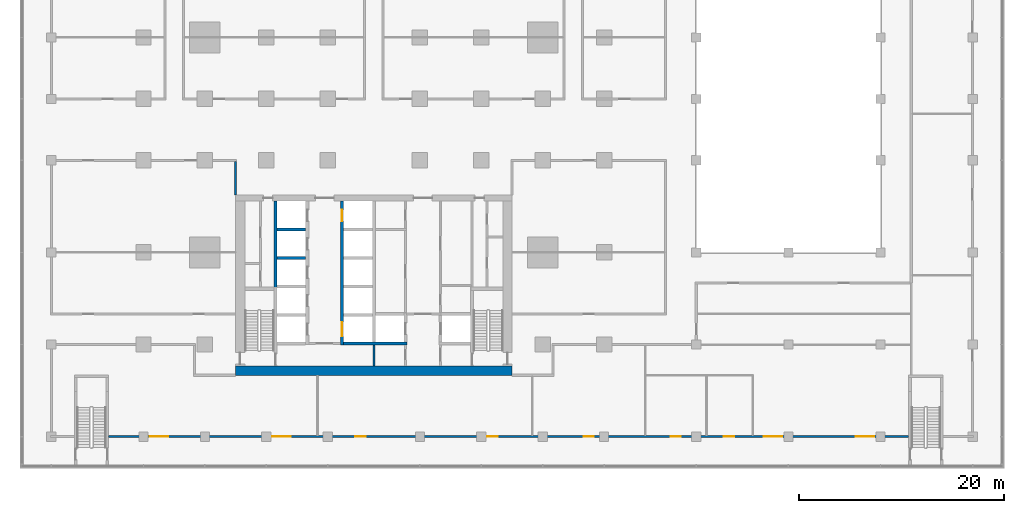
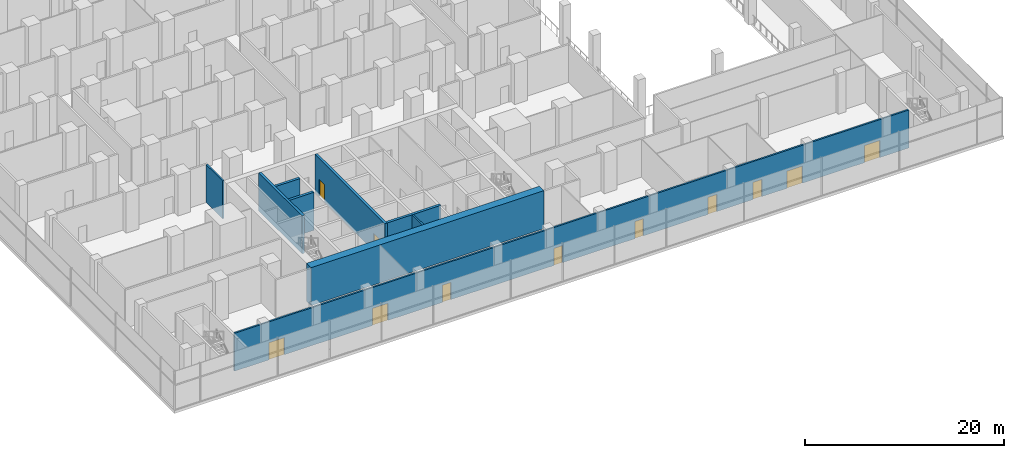
# One storey, part 13 of 22: 11 doors, 9 walls, 11 openings.
"""IFC4 building model written with IfcOpenShell, lengths in metres."""

from ifc_helpers import new_model, si_unit, direction, frame, frame_2d, origin, place, context, subcontext, project, spatial, rectangle, extrude, material, layer, layer_set, type_object, element, fill, save


model = new_model("IFC4")

# Units and contexts
model_context = context("Model", 3, precision=1e-05, world=origin(), true_north=direction((0.0, 1.0)))
body_context = subcontext(model_context, "Body", "Model", "MODEL_VIEW")
ifc_project = project(units=[si_unit("LENGTHUNIT", "METRE"), si_unit("AREAUNIT", "SQUARE_METRE"), si_unit("VOLUMEUNIT", "CUBIC_METRE"), si_unit("PLANEANGLEUNIT", "RADIAN"), si_unit("MASSUNIT", "GRAM", prefix="KILO")], contexts=[model_context])

# Site, building, storey
site_placement = place(None, origin())
site = spatial("IfcSite", under=ifc_project, at=site_placement, CompositionType="ELEMENT")
building_placement = place(site_placement, origin())
building = spatial("IfcBuilding", under=site, at=building_placement, Name="Finial Court Residences", CompositionType="ELEMENT")
storey_placement = place(building_placement, frame((0.0, 0.0, 13.5)))
storey = spatial("IfcBuildingStorey", under=building, at=storey_placement, Name="L02", CompositionType="ELEMENT", Elevation=13.5)

# Wall
ifc_material_1 = material(Name="Concrete C80/95", Category="concrete")
ifc_layer_1 = layer(ifc_material_1, 0.89990234375)
ifc_layer_set_1 = layer_set([ifc_layer_1], Name="Core outer wall 900 Concrete C80/95")
wall_type_1 = type_object("IfcWallType", Name="Core outer wall 900 Concrete C80/95", PredefinedType="SHEAR", material=ifc_layer_set_1)
wall_1_placement = place(storey_placement, frame((-13.5, -25.050048828125, 0.0), z_axis=(0.0, 0.0, 1.0), x_axis=(1.0, 0.0, 0.0)))
element("IfcWall", 1, at=wall_1_placement, inside=storey, type_object=wall_type_1, Name="Core outer wall L02-01", PredefinedType="SHEAR", context=body_context, shape_type="SweptSolid", body=[
    extrude(rectangle(XDim=27.0, YDim=0.89990234375, at=frame_2d((13.5, 0.0))), origin(), (0.0, 0.0, 1.0), 4.64990234375),
])

# Wall, openings, doors
ifc_material_2 = material(Name="Gypsum board")
ifc_layer_2 = layer(ifc_material_2, 0.02490234375)
ifc_material_3 = material(Name="Acoustic mineral wool in double frame")
ifc_layer_3 = layer(ifc_material_3, 0.14990234375)
ifc_layer_4 = layer(ifc_material_2, 0.02490234375)
ifc_layer_set_2 = layer_set([ifc_layer_2, ifc_layer_3, ifc_layer_4], Name="Corridor wall 200, 1 hour")
wall_type_2 = type_object("IfcWallType", Name="Corridor wall 200, 1 hour", PredefinedType="PARTITIONING", material=ifc_layer_set_2)
wall_2_placement = place(storey_placement, frame((-25.89990234375, -31.5, 0.0), z_axis=(0.0, 0.0, 1.0), x_axis=(1.0, 0.0, 0.0)))
wall_2 = element("IfcWall", 2, at=wall_2_placement, inside=storey, type_object=wall_type_2, Name="Partition L02-001", PredefinedType="PARTITIONING", context=body_context, shape_type="SweptSolid", body=[
    extrude(rectangle(XDim=78.14990234375, YDim=0.199951171875, at=frame_2d((39.074951171875, 0.0))), origin(), (0.0, 0.0, 1.0), 4.64990234375),
])
opening_1_placement = place(wall_2_placement, frame((4.0, 0.0, 0.0)))
opening_1 = element("IfcOpeningElement", 3, at=opening_1_placement, cuts=wall_2, Name="Opening L02-D001", PredefinedType="OPENING", context=body_context, shape_type="SweptSolid", body=[
    extrude(rectangle(XDim=1.800048828125, YDim=2.10009765625, at=frame_2d((0.89990234375, 1.050048828125))), frame((0.0, 0.10986328125, 0.0), z_axis=(0.0, -1.0, 0.0), x_axis=(1.0, 0.0, 0.0)), (0.0, 0.0, 1.0), 0.219970703125),
])
opening_2_placement = place(wall_2_placement, frame((16.0, 0.0, 0.0)))
opening_2 = element("IfcOpeningElement", 4, at=opening_2_placement, cuts=wall_2, Name="Opening L02-D002", PredefinedType="OPENING", context=body_context, shape_type="SweptSolid", body=[
    extrude(rectangle(XDim=1.800048828125, YDim=2.10009765625, at=frame_2d((0.89990234375, 1.050048828125))), frame((0.0, 0.10986328125, 0.0), z_axis=(0.0, -1.0, 0.0), x_axis=(1.0, 0.0, 0.0)), (0.0, 0.0, 1.0), 0.219970703125),
])
opening_3_placement = place(wall_2_placement, frame((24.10009765625, 0.0, 0.0)))
opening_3 = element("IfcOpeningElement", 5, at=opening_3_placement, cuts=wall_2, Name="Opening L02-D003", PredefinedType="OPENING", context=body_context, shape_type="SweptSolid", body=[
    extrude(rectangle(XDim=1.0, YDim=2.10009765625, at=frame_2d((0.5, 1.050048828125))), frame((0.0, 0.10986328125, 0.0), z_axis=(0.0, -1.0, 0.0), x_axis=(1.0, 0.0, 0.0)), (0.0, 0.0, 1.0), 0.219970703125),
])
opening_4_placement = place(wall_2_placement, frame((37.0, 0.0, 0.0)))
opening_4 = element("IfcOpeningElement", 6, at=opening_4_placement, cuts=wall_2, Name="Opening L02-D004", PredefinedType="OPENING", context=body_context, shape_type="SweptSolid", body=[
    extrude(rectangle(XDim=1.0, YDim=2.10009765625, at=frame_2d((0.5, 1.050048828125))), frame((0.0, 0.10986328125, 0.0), z_axis=(0.0, -1.0, 0.0), x_axis=(1.0, 0.0, 0.0)), (0.0, 0.0, 1.0), 0.219970703125),
])
opening_5_placement = place(wall_2_placement, frame((46.39990234375, 0.0, 0.0)))
opening_5 = element("IfcOpeningElement", 7, at=opening_5_placement, cuts=wall_2, Name="Opening L02-D005", PredefinedType="OPENING", context=body_context, shape_type="SweptSolid", body=[
    extrude(rectangle(XDim=1.0, YDim=2.10009765625, at=frame_2d((0.5, 1.050048828125))), frame((0.0, 0.10986328125, 0.0), z_axis=(0.0, -1.0, 0.0), x_axis=(1.0, 0.0, 0.0)), (0.0, 0.0, 1.0), 0.219970703125),
])
opening_6_placement = place(wall_2_placement, frame((54.89990234375, 0.0, 0.0)))
opening_6 = element("IfcOpeningElement", 8, at=opening_6_placement, cuts=wall_2, Name="Opening L02-D006", PredefinedType="OPENING", context=body_context, shape_type="SweptSolid", body=[
    extrude(rectangle(XDim=1.0, YDim=2.10009765625, at=frame_2d((0.5, 1.050048828125))), frame((0.0, 0.10986328125, 0.0), z_axis=(0.0, -1.0, 0.0), x_axis=(1.0, 0.0, 0.0)), (0.0, 0.0, 1.0), 0.219970703125),
])
opening_7_placement = place(wall_2_placement, frame((60.10009765625, 0.0, 0.0)))
opening_7 = element("IfcOpeningElement", 9, at=opening_7_placement, cuts=wall_2, Name="Opening L02-D007", PredefinedType="OPENING", context=body_context, shape_type="SweptSolid", body=[
    extrude(rectangle(XDim=1.0, YDim=2.10009765625, at=frame_2d((0.5, 1.050048828125))), frame((0.0, 0.10986328125, 0.0), z_axis=(0.0, -1.0, 0.0), x_axis=(1.0, 0.0, 0.0)), (0.0, 0.0, 1.0), 0.219970703125),
])
opening_8_placement = place(wall_2_placement, frame((64.0, 0.0, 0.0)))
opening_8 = element("IfcOpeningElement", 10, at=opening_8_placement, cuts=wall_2, Name="Opening L02-D008", PredefinedType="OPENING", context=body_context, shape_type="SweptSolid", body=[
    extrude(rectangle(XDim=1.800048828125, YDim=2.10009765625, at=frame_2d((0.89990234375, 1.050048828125))), frame((0.0, 0.10986328125, 0.0), z_axis=(0.0, -1.0, 0.0), x_axis=(1.0, 0.0, 0.0)), (0.0, 0.0, 1.0), 0.219970703125),
])
opening_9_placement = place(wall_2_placement, frame((73.0, 0.0, 0.0)))
opening_9 = element("IfcOpeningElement", 11, at=opening_9_placement, cuts=wall_2, Name="Opening L02-D009", PredefinedType="OPENING", context=body_context, shape_type="SweptSolid", body=[
    extrude(rectangle(XDim=1.800048828125, YDim=2.10009765625, at=frame_2d((0.89990234375, 1.050048828125))), frame((0.0, 0.10986328125, 0.0), z_axis=(0.0, -1.0, 0.0), x_axis=(1.0, 0.0, 0.0)), (0.0, 0.0, 1.0), 0.219970703125),
])
ifc_material_4 = material(Name="Timber door leaf in hollow metal frame", Category="wood")
door_type_1 = type_object("IfcDoorType", Name="Fire door set 1000 x 2100, 30 minutes", OperationType="SINGLE_SWING_LEFT", PredefinedType="DOOR", material=ifc_material_4)
door_1_placement = place(opening_3_placement, origin())
door_1 = element("IfcDoor", 12, at=door_1_placement, inside=storey, type_object=door_type_1, Name="Door L02-D003", OperationType="SINGLE_SWING_RIGHT", OverallHeight=2.10009765625, OverallWidth=1.0, PredefinedType="DOOR", context=body_context, shape_type="SweptSolid", body=[
    extrude(rectangle(XDim=1.0, YDim=2.10009765625, at=frame_2d((0.5, 1.050048828125))), frame((0.0, 0.02490234375, 0.0), z_axis=(0.0, -1.0, 0.0), x_axis=(1.0, 0.0, 0.0)), (0.0, 0.0, 1.0), 0.050048828125),
])
fill(opening_3, door_1)
door_2_placement = place(opening_4_placement, origin())
door_2 = element("IfcDoor", 13, at=door_2_placement, inside=storey, type_object=door_type_1, Name="Door L02-D004", OperationType="SINGLE_SWING_RIGHT", OverallHeight=2.10009765625, OverallWidth=1.0, PredefinedType="DOOR", context=body_context, shape_type="SweptSolid", body=[
    extrude(rectangle(XDim=1.0, YDim=2.10009765625, at=frame_2d((0.5, 1.050048828125))), frame((0.0, 0.02490234375, 0.0), z_axis=(0.0, -1.0, 0.0), x_axis=(1.0, 0.0, 0.0)), (0.0, 0.0, 1.0), 0.050048828125),
])
fill(opening_4, door_2)
door_3_placement = place(opening_5_placement, origin())
door_3 = element("IfcDoor", 14, at=door_3_placement, inside=storey, type_object=door_type_1, Name="Door L02-D005", OperationType="SINGLE_SWING_LEFT", OverallHeight=2.10009765625, OverallWidth=1.0, PredefinedType="DOOR", context=body_context, shape_type="SweptSolid", body=[
    extrude(rectangle(XDim=1.0, YDim=2.10009765625, at=frame_2d((0.5, 1.050048828125))), frame((0.0, 0.02490234375, 0.0), z_axis=(0.0, -1.0, 0.0), x_axis=(1.0, 0.0, 0.0)), (0.0, 0.0, 1.0), 0.050048828125),
])
fill(opening_5, door_3)
door_4_placement = place(opening_6_placement, origin())
door_4 = element("IfcDoor", 15, at=door_4_placement, inside=storey, type_object=door_type_1, Name="Door L02-D006", OperationType="SINGLE_SWING_LEFT", OverallHeight=2.10009765625, OverallWidth=1.0, PredefinedType="DOOR", context=body_context, shape_type="SweptSolid", body=[
    extrude(rectangle(XDim=1.0, YDim=2.10009765625, at=frame_2d((0.5, 1.050048828125))), frame((0.0, 0.02490234375, 0.0), z_axis=(0.0, -1.0, 0.0), x_axis=(1.0, 0.0, 0.0)), (0.0, 0.0, 1.0), 0.050048828125),
])
fill(opening_6, door_4)
door_5_placement = place(opening_7_placement, origin())
door_5 = element("IfcDoor", 16, at=door_5_placement, inside=storey, type_object=door_type_1, Name="Door L02-D007", OperationType="SINGLE_SWING_LEFT", OverallHeight=2.10009765625, OverallWidth=1.0, PredefinedType="DOOR", context=body_context, shape_type="SweptSolid", body=[
    extrude(rectangle(XDim=1.0, YDim=2.10009765625, at=frame_2d((0.5, 1.050048828125))), frame((0.0, 0.02490234375, 0.0), z_axis=(0.0, -1.0, 0.0), x_axis=(1.0, 0.0, 0.0)), (0.0, 0.0, 1.0), 0.050048828125),
])
fill(opening_7, door_5)
door_type_2 = type_object("IfcDoorType", Name="Fire door set 1800 x 2100, 30 minutes", OperationType="DOUBLE_DOOR_SINGLE_SWING", PredefinedType="DOOR", material=ifc_material_4)
door_6_placement = place(opening_1_placement, origin())
door_6 = element("IfcDoor", 17, at=door_6_placement, inside=storey, type_object=door_type_2, Name="Door L02-D001", OperationType="DOUBLE_DOOR_SINGLE_SWING", OverallHeight=2.10009765625, OverallWidth=1.800048828125, PredefinedType="DOOR", context=body_context, shape_type="SweptSolid", body=[
    extrude(rectangle(XDim=1.800048828125, YDim=2.10009765625, at=frame_2d((0.89990234375, 1.050048828125))), frame((0.0, 0.02490234375, 0.0), z_axis=(0.0, -1.0, 0.0), x_axis=(1.0, 0.0, 0.0)), (0.0, 0.0, 1.0), 0.050048828125),
])
fill(opening_1, door_6)
door_7_placement = place(opening_2_placement, origin())
door_7 = element("IfcDoor", 18, at=door_7_placement, inside=storey, type_object=door_type_2, Name="Door L02-D002", OperationType="DOUBLE_DOOR_SINGLE_SWING", OverallHeight=2.10009765625, OverallWidth=1.800048828125, PredefinedType="DOOR", context=body_context, shape_type="SweptSolid", body=[
    extrude(rectangle(XDim=1.800048828125, YDim=2.10009765625, at=frame_2d((0.89990234375, 1.050048828125))), frame((0.0, 0.02490234375, 0.0), z_axis=(0.0, -1.0, 0.0), x_axis=(1.0, 0.0, 0.0)), (0.0, 0.0, 1.0), 0.050048828125),
])
fill(opening_2, door_7)
door_8_placement = place(opening_8_placement, origin())
door_8 = element("IfcDoor", 19, at=door_8_placement, inside=storey, type_object=door_type_2, Name="Door L02-D008", OperationType="DOUBLE_DOOR_SINGLE_SWING", OverallHeight=2.10009765625, OverallWidth=1.800048828125, PredefinedType="DOOR", context=body_context, shape_type="SweptSolid", body=[
    extrude(rectangle(XDim=1.800048828125, YDim=2.10009765625, at=frame_2d((0.89990234375, 1.050048828125))), frame((0.0, 0.02490234375, 0.0), z_axis=(0.0, -1.0, 0.0), x_axis=(1.0, 0.0, 0.0)), (0.0, 0.0, 1.0), 0.050048828125),
])
fill(opening_8, door_8)
door_9_placement = place(opening_9_placement, origin())
door_9 = element("IfcDoor", 20, at=door_9_placement, inside=storey, type_object=door_type_2, Name="Door L02-D009", OperationType="DOUBLE_DOOR_SINGLE_SWING", OverallHeight=2.10009765625, OverallWidth=1.800048828125, PredefinedType="DOOR", context=body_context, shape_type="SweptSolid", body=[
    extrude(rectangle(XDim=1.800048828125, YDim=2.10009765625, at=frame_2d((0.89990234375, 1.050048828125))), frame((0.0, 0.02490234375, 0.0), z_axis=(0.0, -1.0, 0.0), x_axis=(1.0, 0.0, 0.0)), (0.0, 0.0, 1.0), 0.050048828125),
])
fill(opening_9, door_9)

# Walls
wall_3_placement = place(storey_placement, frame((-13.5, -7.89990234375, 0.0), z_axis=(0.0, 0.0, 1.0), x_axis=(0.0, 1.0, 0.0)))
element("IfcWall", 21, at=wall_3_placement, inside=storey, type_object=wall_type_2, Name="Partition L02-048", PredefinedType="PARTITIONING", context=body_context, shape_type="SweptSolid", body=[
    extrude(rectangle(XDim=3.2998046875, YDim=0.199951171875, at=frame_2d((1.64990234375, 0.0))), origin(), (0.0, 0.0, 1.0), 4.64990234375),
])
ifc_layer_5 = layer(ifc_material_1, 0.300048828125)
ifc_layer_set_3 = layer_set([ifc_layer_5], Name="Lift shaft and stair wall 300 Concrete C80/95")
wall_type_3 = type_object("IfcWallType", Name="Lift shaft and stair wall 300 Concrete C80/95", PredefinedType="SHEAR", material=ifc_layer_set_3)
wall_4_placement = place(storey_placement, frame((-2.949951171875, -22.39990234375, 0.0), z_axis=(0.0, 0.0, 1.0), x_axis=(1.0, 0.0, 0.0)))
element("IfcWall", 22, at=wall_4_placement, inside=storey, type_object=wall_type_3, Name="Core wall L02-03", PredefinedType="SHEAR", context=body_context, shape_type="SweptSolid", body=[
    extrude(rectangle(XDim=6.199951171875, YDim=0.300048828125, at=frame_2d((3.10009765625, 0.0))), origin(), (0.0, 0.0, 1.0), 4.64990234375),
])
for number, where, z_axis, x_axis, name in (
    (23, (-9.449951171875, -14.06005859375, 0.0), (0.0, 0.0, 1.0), (1.0, 0.0, 0.0), "Core wall L02-16"),
    (24, (-9.449951171875, -11.280029296875, 0.0), (0.0, 0.0, 1.0), (1.0, 0.0, 0.0), "Core wall L02-19"),
):
    element("IfcWall", number, at=place(storey_placement, frame(where, z_axis=z_axis, x_axis=x_axis)), inside=storey, type_object=wall_type_3, Name=name, PredefinedType="SHEAR", context=body_context, shape_type="SweptSolid", body=[
        extrude(rectangle(XDim=2.800048828125, YDim=0.300048828125, at=frame_2d((1.39990234375, 0.0))), origin(), (0.0, 0.0, 1.0), 4.64990234375),
    ])
wall_5_placement = place(storey_placement, frame((-9.60009765625, -17.199951171875, 0.0), z_axis=(0.0, 0.0, 1.0), x_axis=(0.0, 1.0, 0.0)))
element("IfcWall", 25, at=wall_5_placement, inside=storey, type_object=wall_type_3, Name="Core wall L02-25", PredefinedType="SHEAR", context=body_context, shape_type="SweptSolid", body=[
    extrude(rectangle(XDim=8.699951171875, YDim=0.300048828125, at=frame_2d((4.35009765625, 0.0))), origin(), (0.0, 0.0, 1.0), 4.64990234375),
])

# Wall, openings, doors
wall_6_placement = place(storey_placement, frame((-3.10009765625, -22.550048828125, 0.0), z_axis=(0.0, 0.0, 1.0), x_axis=(0.0, 1.0, 0.0)))
wall_6 = element("IfcWall", 26, at=wall_6_placement, inside=storey, type_object=wall_type_3, Name="Core wall L02-27", PredefinedType="SHEAR", context=body_context, shape_type="SweptSolid", body=[
    extrude(rectangle(XDim=14.050048828125, YDim=0.300048828125, at=frame_2d((7.02490234375, 0.0))), origin(), (0.0, 0.0, 1.0), 4.64990234375),
])
opening_10_placement = place(wall_6_placement, frame((12.110107421875, 0.0, 0.0)))
opening_10 = element("IfcOpeningElement", 27, at=opening_10_placement, cuts=wall_6, Name="Opening L02-LD08", PredefinedType="OPENING", context=body_context, shape_type="SweptSolid", body=[
    extrude(rectangle(XDim=1.10009765625, YDim=2.10009765625, at=frame_2d((0.550048828125, 1.050048828125))), frame((0.0, 0.159912109375, 0.0), z_axis=(0.0, -1.0, 0.0), x_axis=(1.0, 0.0, 0.0)), (0.0, 0.0, 1.0), 0.320068359375),
])
opening_11_placement = place(wall_6_placement, frame((0.840087890625, 0.0, 0.0)))
opening_11 = element("IfcOpeningElement", 28, at=opening_11_placement, cuts=wall_6, Name="Opening L02-LD09", PredefinedType="OPENING", context=body_context, shape_type="SweptSolid", body=[
    extrude(rectangle(XDim=1.39990234375, YDim=2.10009765625, at=frame_2d((0.699951171875, 1.050048828125))), frame((0.0, 0.159912109375, 0.0), z_axis=(0.0, -1.0, 0.0), x_axis=(1.0, 0.0, 0.0)), (0.0, 0.0, 1.0), 0.320068359375),
])
ifc_material_5 = material(Name="Stainless steel lift door", Category="steel")
door_type_3 = type_object("IfcDoorType", Name="Lift landing door 1100 x 2100 EI 90", OperationType="DOUBLE_DOOR_SLIDING", PredefinedType="DOOR", material=ifc_material_5)
door_10_placement = place(opening_10_placement, origin())
door_10 = element("IfcDoor", 29, at=door_10_placement, inside=storey, type_object=door_type_3, Name="Lift landing door LR6 L02", OperationType="DOUBLE_DOOR_SLIDING", OverallHeight=2.10009765625, OverallWidth=1.10009765625, PredefinedType="DOOR", context=body_context, shape_type="SweptSolid", body=[
    extrude(rectangle(XDim=1.10009765625, YDim=2.10009765625, at=frame_2d((0.550048828125, 1.050048828125))), frame((0.0, 0.02490234375, 0.0), z_axis=(0.0, -1.0, 0.0), x_axis=(1.0, 0.0, 0.0)), (0.0, 0.0, 1.0), 0.050048828125),
])
fill(opening_10, door_10)
door_type_4 = type_object("IfcDoorType", Name="Lift landing door 1400 x 2100 EI 90", OperationType="DOUBLE_DOOR_SLIDING", PredefinedType="DOOR", material=ifc_material_5)
door_11_placement = place(opening_11_placement, origin())
door_11 = element("IfcDoor", 30, at=door_11_placement, inside=storey, type_object=door_type_4, Name="Lift landing door SV1 L02", OperationType="DOUBLE_DOOR_SLIDING", OverallHeight=2.10009765625, OverallWidth=1.39990234375, PredefinedType="DOOR", context=body_context, shape_type="SweptSolid", body=[
    extrude(rectangle(XDim=1.39990234375, YDim=2.10009765625, at=frame_2d((0.699951171875, 1.050048828125))), frame((0.0, 0.02490234375, 0.0), z_axis=(0.0, -1.0, 0.0), x_axis=(1.0, 0.0, 0.0)), (0.0, 0.0, 1.0), 0.050048828125),
])
fill(opening_11, door_11)

# Wall
ifc_material_6 = material(Name="Fire-rated gypsum board partition")
ifc_layer_6 = layer(ifc_material_6, 0.199951171875)
ifc_layer_set_4 = layer_set([ifc_layer_6], Name="Riser room wall 200 EI 120")
wall_type_4 = type_object("IfcWallType", Name="Riser room wall 200 EI 120", PredefinedType="PARTITIONING", material=ifc_layer_set_4)
wall_7_placement = place(storey_placement, frame((0.0, -24.60009765625, 0.0), z_axis=(0.0, 0.0, 1.0), x_axis=(0.0, 1.0, 0.0)))
element("IfcWall", 31, at=wall_7_placement, inside=storey, type_object=wall_type_4, Name="Core partition L02-28", PredefinedType="PARTITIONING", context=body_context, shape_type="SweptSolid", body=[
    extrude(rectangle(XDim=2.050048828125, YDim=0.199951171875, at=frame_2d((1.02490234375, 0.0))), origin(), (0.0, 0.0, 1.0), 4.64990234375),
])

save(model, "model.ifc")
